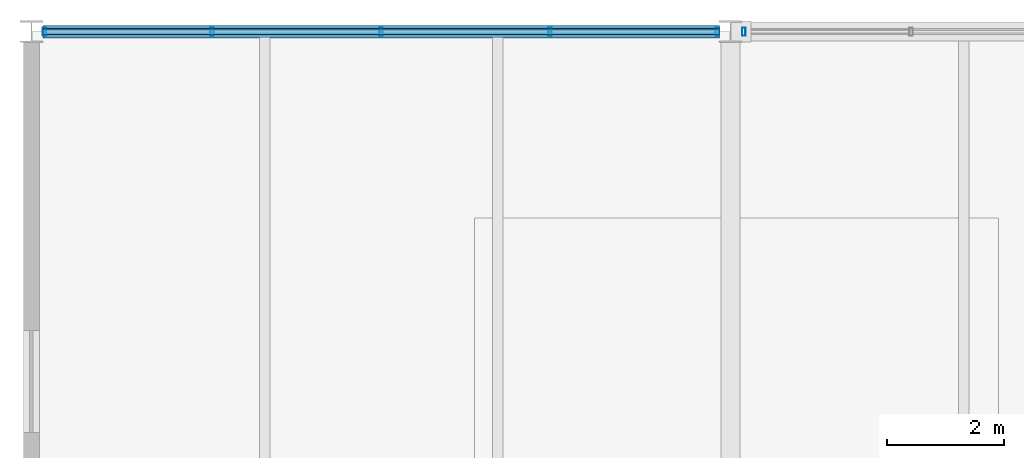
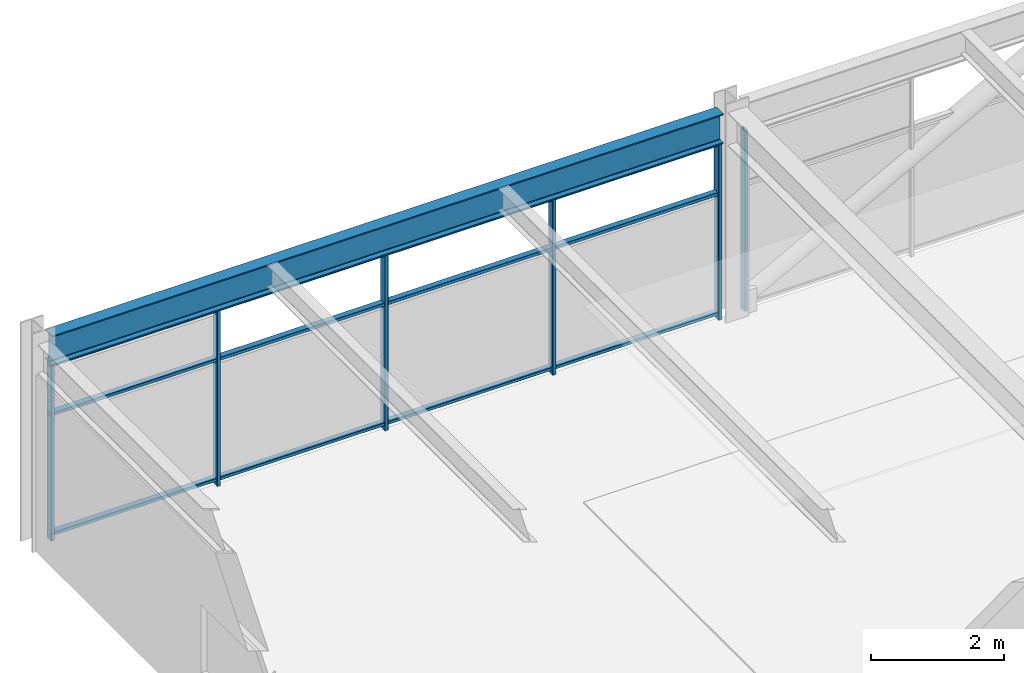
# One storey, part 18 of 52: 9 members, 1 beam, 2 elements without a shape of their own.
"""IFC4 building model written with IfcOpenShell, lengths in metres."""

from ifc_helpers import new_model, si_unit, direction, frame, origin, origin_2d, place, context, subcontext, project, spatial, hollow_rectangle, i_section, extrude, material, material_profile, profile_set, type_object, element, aggregate, save


model = new_model("IFC4")

# Units and contexts
model_context = context("Model", 3, precision=1e-05, world=origin(), true_north=direction((0.0, 1.0)))
body_context = subcontext(model_context, "Body", "Model", "MODEL_VIEW")
ifc_project = project(units=[si_unit("LENGTHUNIT", "METRE"), si_unit("AREAUNIT", "SQUARE_METRE"), si_unit("VOLUMEUNIT", "CUBIC_METRE"), si_unit("PLANEANGLEUNIT", "RADIAN"), si_unit("MASSUNIT", "GRAM", prefix="KILO")], contexts=[model_context])

# Site, building, storey
site_placement = place(None, origin())
site = spatial("IfcSite", under=ifc_project, at=site_placement, CompositionType="ELEMENT")
building_placement = place(site_placement, origin())
building = spatial("IfcBuilding", under=site, at=building_placement, Name="Girod Span Mobility Hub", CompositionType="ELEMENT")
storey_placement = place(building_placement, frame((0.0, 0.0, 45.60009765625)))
storey = spatial("IfcBuildingStorey", under=building, at=storey_placement, Name="L11", CompositionType="ELEMENT", Elevation=45.60009765625)

# Beam
ifc_material_1 = material(Name="Steel A992 Grade 50", Category="steel")
ifc_material_profile_1 = material_profile(ifc_material_1, i_section(OverallWidth=0.2119140625, OverallDepth=0.5439453125, WebThickness=0.01318359375, FlangeThickness=0.021240234375, FilletRadius=0.014892578125, at=origin_2d()), Name="W21X83")
ifc_profile_set_1 = profile_set([ifc_material_profile_1], Name="Steel A992 Grade 50")
beam_type = type_object("IfcBeamType", Name="BM-STL-W21X83", PredefinedType="SPANDREL", material=ifc_profile_set_1)
beam_placement = place(storey_placement, frame((24.194091796875, 69.0, 3.5078125), z_axis=(1.0, 0.0, 0.0), x_axis=(0.0, 1.0, 0.0)))
element("IfcBeam", 1, at=beam_placement, inside=storey, type_object=beam_type, Name="Girder 3-4/F L11", PredefinedType="SPANDREL", context=body_context, shape_type="SweptSolid", body=[
    extrude(i_section(OverallWidth=0.2119140625, OverallDepth=0.5439453125, WebThickness=0.01318359375, FlangeThickness=0.021240234375, FilletRadius=0.014892578125, at=origin_2d()), origin(), (0.0, 0.0, 1.0), 11.61181640625),
])

# Curtain wall, members
ifc_material_2 = material(Name="Thermally Broken Anodised Aluminium", Category="aluminium")
curtain_wall_type_1 = type_object("IfcCurtainWallType", Name="CW-1161X324", PredefinedType="USERDEFINED", material=ifc_material_2)
curtain_wall_1_placement = place(storey_placement, origin())
curtain_wall_1 = element("IfcCurtainWall", 2, at=curtain_wall_1_placement, inside=storey, type_object=curtain_wall_type_1, Name="Unitised Curtain Wall CW-L11-N03 L11", ObjectType="UNITISED CURTAIN WALL", PredefinedType="USERDEFINED")
ifc_material_3 = material(Name="Thermally Broken Anodised Aluminium", Category="aluminium")
ifc_material_profile_2 = material_profile(ifc_material_3, hollow_rectangle(XDim=0.139892578125, YDim=0.06005859375, WallThickness=0.00341796875, InnerFilletRadius=0.00341796875, OuterFilletRadius=0.007080078125, at=origin_2d()), Name="CW-ML-60X140")
ifc_profile_set_2 = profile_set([ifc_material_profile_2], Name="Thermally Broken Anodised Aluminium")
member_type_1 = type_object("IfcMemberType", Name="CWM-ML-4", PredefinedType="MULLION", material=ifc_profile_set_2)
member_1_placement = place(storey_placement, frame((24.22705078125, 69.0, 0.0), z_axis=(0.0, 0.0, 1.0), x_axis=(0.0, 1.0, 0.0)))
member_1 = element("IfcMember", 3, at=member_1_placement, type_object=member_type_1, Name="Curtain Wall Mullion CW-L11-N03-M0", PredefinedType="MULLION", context=body_context, shape_type="SweptSolid", body=[
    extrude(hollow_rectangle(XDim=0.139892578125, YDim=0.06005859375, WallThickness=0.00341796875, InnerFilletRadius=0.00341796875, OuterFilletRadius=0.007080078125, at=origin_2d()), origin(), (0.0, 0.0, 1.0), 3.23583984375),
])
member_2_placement = place(storey_placement, frame((27.097412109375, 69.0, 0.0), z_axis=(0.0, 0.0, 1.0), x_axis=(0.0, 1.0, 0.0)))
member_2 = element("IfcMember", 4, at=member_2_placement, type_object=member_type_1, Name="Curtain Wall Mullion CW-L11-N03-M1", PredefinedType="MULLION", context=body_context, shape_type="SweptSolid", body=[
    extrude(hollow_rectangle(XDim=0.139892578125, YDim=0.06005859375, WallThickness=0.00341796875, InnerFilletRadius=0.00341796875, OuterFilletRadius=0.007080078125, at=origin_2d()), origin(), (0.0, 0.0, 1.0), 3.23583984375),
])
member_3_placement = place(storey_placement, frame((30.0, 69.0, 0.0), z_axis=(0.0, 0.0, 1.0), x_axis=(0.0, 1.0, 0.0)))
member_3 = element("IfcMember", 5, at=member_3_placement, type_object=member_type_1, Name="Curtain Wall Mullion CW-L11-N03-M2", PredefinedType="MULLION", context=body_context, shape_type="SweptSolid", body=[
    extrude(hollow_rectangle(XDim=0.139892578125, YDim=0.06005859375, WallThickness=0.00341796875, InnerFilletRadius=0.00341796875, OuterFilletRadius=0.007080078125, at=origin_2d()), origin(), (0.0, 0.0, 1.0), 3.23583984375),
])
member_4_placement = place(storey_placement, frame((32.902587890625, 69.0, 0.0), z_axis=(0.0, 0.0, 1.0), x_axis=(0.0, 1.0, 0.0)))
member_4 = element("IfcMember", 6, at=member_4_placement, type_object=member_type_1, Name="Curtain Wall Mullion CW-L11-N03-M3", PredefinedType="MULLION", context=body_context, shape_type="SweptSolid", body=[
    extrude(hollow_rectangle(XDim=0.139892578125, YDim=0.06005859375, WallThickness=0.00341796875, InnerFilletRadius=0.00341796875, OuterFilletRadius=0.007080078125, at=origin_2d()), origin(), (0.0, 0.0, 1.0), 3.23583984375),
])
member_5_placement = place(storey_placement, frame((35.77294921875, 69.0, 0.0), z_axis=(0.0, 0.0, 1.0), x_axis=(0.0, 1.0, 0.0)))
member_5 = element("IfcMember", 7, at=member_5_placement, type_object=member_type_1, Name="Curtain Wall Mullion CW-L11-N03-M4", PredefinedType="MULLION", context=body_context, shape_type="SweptSolid", body=[
    extrude(hollow_rectangle(XDim=0.139892578125, YDim=0.06005859375, WallThickness=0.00341796875, InnerFilletRadius=0.00341796875, OuterFilletRadius=0.007080078125, at=origin_2d()), origin(), (0.0, 0.0, 1.0), 3.23583984375),
])

# Curtain wall, member
ifc_material_4 = material(Name="Thermally Broken Anodised Aluminium", Category="aluminium")
curtain_wall_type_2 = type_object("IfcCurtainWallType", Name="CW-1161X330", PredefinedType="USERDEFINED", material=ifc_material_4)
curtain_wall_2_placement = place(storey_placement, origin())
curtain_wall_2 = element("IfcCurtainWall", 8, at=curtain_wall_2_placement, inside=storey, type_object=curtain_wall_type_2, Name="Unitised Curtain Wall CW-L11-N04 L11", ObjectType="UNITISED CURTAIN WALL", PredefinedType="USERDEFINED")
member_6_placement = place(storey_placement, frame((36.22705078125, 69.0, 0.0), z_axis=(0.0, 0.0, 1.0), x_axis=(0.0, 1.0, 0.0)))
member_6 = element("IfcMember", 9, at=member_6_placement, type_object=member_type_1, Name="Curtain Wall Mullion CW-L11-N04-M0", PredefinedType="MULLION", context=body_context, shape_type="SweptSolid", body=[
    extrude(hollow_rectangle(XDim=0.139892578125, YDim=0.06005859375, WallThickness=0.00341796875, InnerFilletRadius=0.00341796875, OuterFilletRadius=0.007080078125, at=origin_2d()), origin(), (0.0, 0.0, 1.0), 3.2958984375),
])
aggregate(curtain_wall_2, [member_6])

# Member
ifc_material_5 = material(Name="Thermally Broken Anodised Aluminium", Category="aluminium")
ifc_material_profile_3 = material_profile(ifc_material_5, hollow_rectangle(XDim=0.10498046875, YDim=0.06005859375, WallThickness=0.00341796875, InnerFilletRadius=0.00341796875, OuterFilletRadius=0.007080078125, at=origin_2d()), Name="CW-TR-60X105")
ifc_profile_set_3 = profile_set([ifc_material_profile_3], Name="Thermally Broken Anodised Aluminium")
member_type_2 = type_object("IfcMemberType", Name="CWM-TR-4", PredefinedType="USERDEFINED", material=ifc_profile_set_3)
member_7_placement = place(storey_placement, frame((24.195068359375, 69.0, 0.10986328125), z_axis=(1.0, 0.0, 0.0), x_axis=(0.0, 1.0, 0.0)))
member_7 = element("IfcMember", 10, at=member_7_placement, type_object=member_type_2, Name="Curtain Wall Transom CW-L11-N03-T1", ObjectType="TRANSOM", PredefinedType="USERDEFINED", context=body_context, shape_type="SweptSolid", body=[
    extrude(hollow_rectangle(XDim=0.10498046875, YDim=0.06005859375, WallThickness=0.00341796875, InnerFilletRadius=0.00341796875, OuterFilletRadius=0.007080078125, at=origin_2d()), origin(), (0.0, 0.0, 1.0), 11.60986328125),
])

member_8_placement = place(storey_placement, frame((24.195068359375, 69.0, 2.2998046875), z_axis=(1.0, 0.0, 0.0), x_axis=(0.0, 1.0, 0.0)))
member_8 = element("IfcMember", 11, at=member_8_placement, type_object=member_type_2, Name="Curtain Wall Transom CW-L11-N03-T2", ObjectType="TRANSOM", PredefinedType="USERDEFINED", context=body_context, shape_type="SweptSolid", body=[
    extrude(hollow_rectangle(XDim=0.10498046875, YDim=0.06005859375, WallThickness=0.00341796875, InnerFilletRadius=0.00341796875, OuterFilletRadius=0.007080078125, at=origin_2d()), origin(), (0.0, 0.0, 1.0), 11.60986328125),
])

member_9_placement = place(storey_placement, frame((24.195068359375, 69.0, 3.205810546875), z_axis=(1.0, 0.0, 0.0), x_axis=(0.0, 1.0, 0.0)))
member_9 = element("IfcMember", 12, at=member_9_placement, type_object=member_type_2, Name="Curtain Wall Transom CW-L11-N03-T3", ObjectType="TRANSOM", PredefinedType="USERDEFINED", context=body_context, shape_type="SweptSolid", body=[
    extrude(hollow_rectangle(XDim=0.10498046875, YDim=0.06005859375, WallThickness=0.00341796875, InnerFilletRadius=0.00341796875, OuterFilletRadius=0.007080078125, at=origin_2d()), origin(), (0.0, 0.0, 1.0), 11.60986328125),
])

aggregate(curtain_wall_1, [member_1, member_2, member_3, member_4, member_5, member_7, member_8, member_9])

save(model, "model.ifc")
